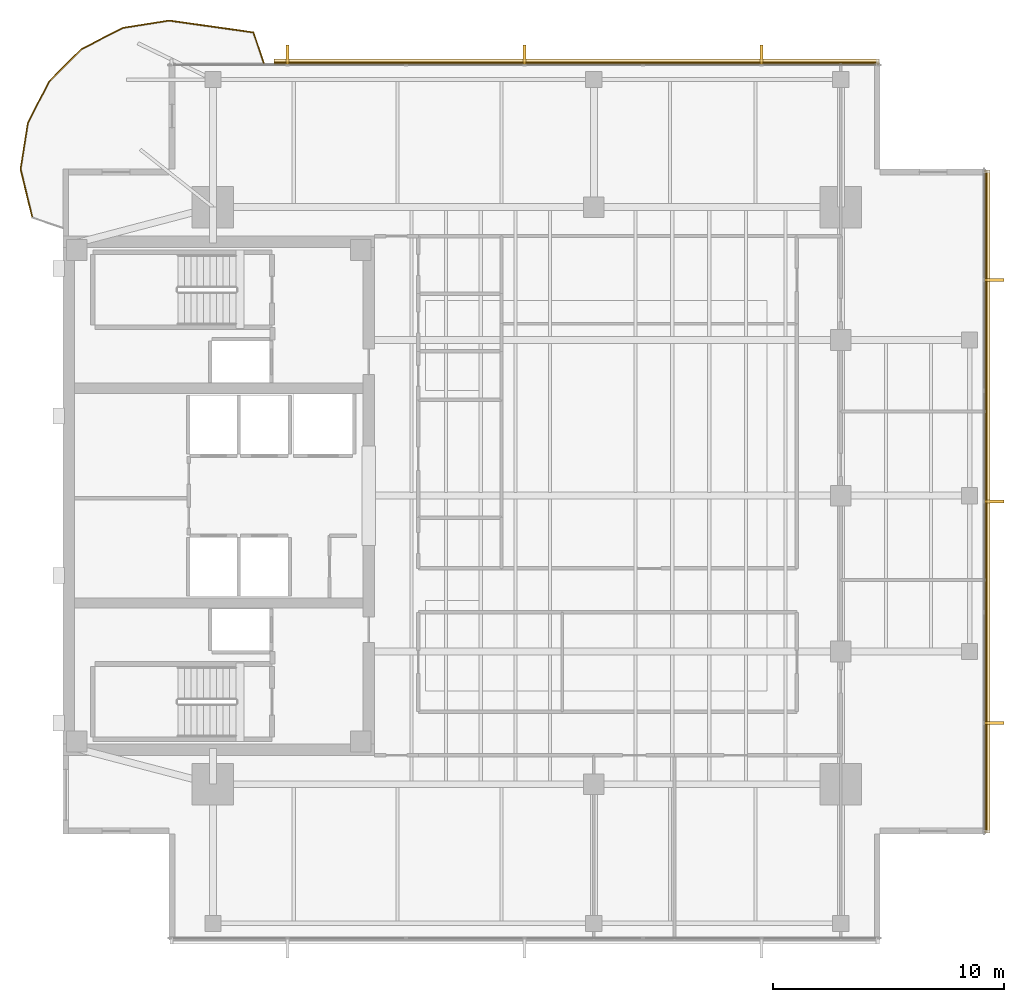
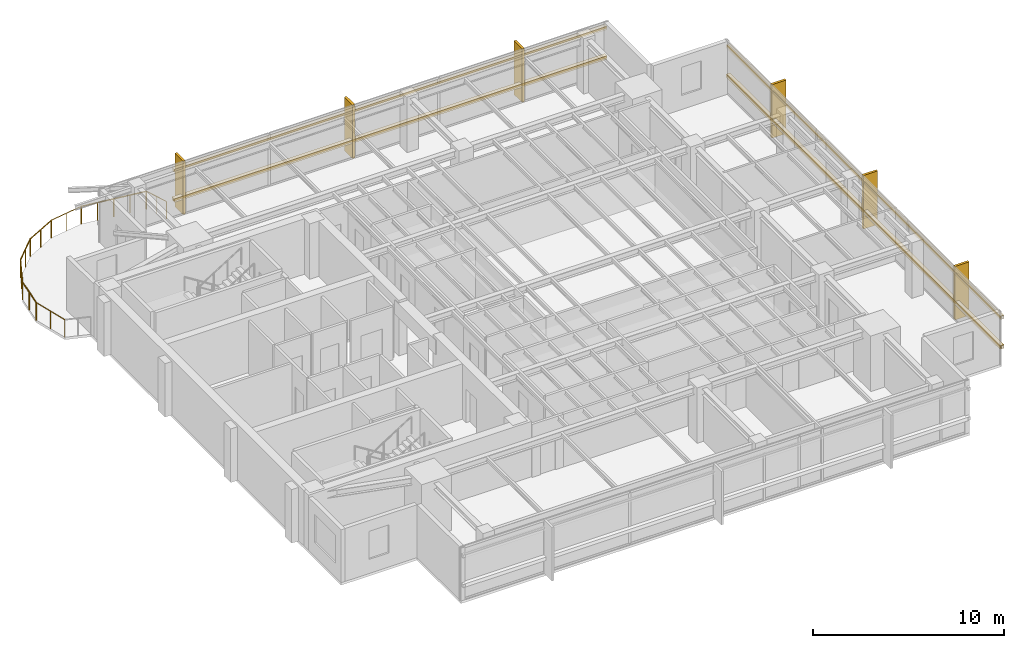
# One storey, part 14 of 14: 10 coverings, 8 railings, 4 shading devices.
"""IFC4 building model written with IfcOpenShell, lengths in metres."""

from ifc_helpers import new_model, si_unit, direction, frame, origin, origin_2d, place, context, subcontext, project, spatial, polyline, rectangle, circle, outline, extrude, material, layer, layer_set, material_profile, profile_set, type_object, element, save


model = new_model("IFC4")

# Units and contexts
model_context = context("Model", 3, precision=1e-05, world=origin(), true_north=direction((0.0, 1.0)))
body_context = subcontext(model_context, "Body", "Model", "MODEL_VIEW")
ifc_project = project(units=[si_unit("LENGTHUNIT", "METRE"), si_unit("AREAUNIT", "SQUARE_METRE"), si_unit("VOLUMEUNIT", "CUBIC_METRE"), si_unit("PLANEANGLEUNIT", "RADIAN"), si_unit("MASSUNIT", "GRAM", prefix="KILO")], contexts=[model_context])

# Site, building, storey
site_placement = place(None, origin())
site = spatial("IfcSite", under=ifc_project, at=site_placement, CompositionType="ELEMENT")
building_placement = place(site_placement, origin())
building = spatial("IfcBuilding", under=site, at=building_placement, Name="Kinhvarn Gate Tower", CompositionType="ELEMENT")
storey_placement = place(building_placement, frame((0.0, 0.0, 274.10009765625)))
storey = spatial("IfcBuildingStorey", under=building, at=storey_placement, Name="L73", CompositionType="ELEMENT", Elevation=274.10009765625)

# Coverings
ifc_material_1 = material(Name="Fired architectural terracotta", Category="masonry")
ifc_layer_1 = layer(ifc_material_1, 0.239990234375)
ifc_layer_set_1 = layer_set([ifc_layer_1], Name="Fired architectural terracotta")
covering_type_1 = type_object("IfcCoveringType", Name="COV-BAG-220", PredefinedType="CLADDING", material=ifc_layer_set_1)
for number, where, name in (
    (1, (0.0, 0.0, 0.93994140625), "Terracotta Horizontal Sunscreen Band TBG-220 (L73)"),
    (2, (0.0, 0.0, 2.829833984375), "Terracotta Horizontal Sunscreen Band TBG-220 (L73)"),
):
    element("IfcCovering", number, at=place(storey_placement, frame(where)), inside=storey, type_object=covering_type_1, Name=name, PredefinedType="CLADDING", context=body_context, shape_type="SweptSolid", body=[
        extrude(outline(polyline([(39.860107421875, 43.929931640625), (13.653076171875, 43.929931640625), (13.653076171875, 44.169921875), (39.860107421875, 44.169921875), (39.860107421875, 43.929931640625)])), origin(), (0.0, 0.0, 1.0), 0.219970703125),
    ])
for number, where, name in (
    (3, (0.0, 0.0, 0.93994140625), "Terracotta Horizontal Sunscreen Band TBG-220 (L73)"),
    (4, (0.0, 0.0, 2.829833984375), "Terracotta Horizontal Sunscreen Band TBG-220 (L73)"),
):
    element("IfcCovering", number, at=place(storey_placement, frame(where)), inside=storey, type_object=covering_type_1, Name=name, PredefinedType="CLADDING", context=body_context, shape_type="SweptSolid", body=[
        extrude(outline(polyline([(44.429931640625, 10.639892578125), (44.429931640625, 39.360107421875), (44.669921875, 39.360107421875), (44.669921875, 10.639892578125), (44.429931640625, 10.639892578125)])), origin(), (0.0, 0.0, 1.0), 0.219970703125),
    ])
ifc_layer_2 = layer(ifc_material_1, 0.139892578125)
ifc_layer_set_2 = layer_set([ifc_layer_2], Name="Fired architectural terracotta")
covering_type_2 = type_object("IfcCoveringType", Name="COV-FIN-850", PredefinedType="CLADDING", material=ifc_layer_set_2)
covering_1_placement = place(storey_placement, frame((0.0, 0.0, -0.02001953125)))
element("IfcCovering", 5, at=covering_1_placement, inside=storey, type_object=covering_type_2, Name="Vertical Terracotta Expressive Fin TFN-850 (L73)", PredefinedType="CLADDING", context=body_context, shape_type="SweptSolid", body=[
    extrude(outline(polyline([(34.836669921875, 43.919921875), (34.69677734375, 43.919921875), (34.69677734375, 44.77001953125), (34.836669921875, 44.77001953125), (34.836669921875, 43.919921875)])), origin(), (0.0, 0.0, 1.0), 3.429931640625),
])
covering_2_placement = place(storey_placement, frame((0.0, 0.0, -0.02001953125)))
element("IfcCovering", 6, at=covering_2_placement, inside=storey, type_object=covering_type_2, Name="Vertical Terracotta Expressive Fin TFN-850 (L73)", PredefinedType="CLADDING", context=body_context, shape_type="SweptSolid", body=[
    extrude(outline(polyline([(24.570068359375, 43.919921875), (24.429931640625, 43.919921875), (24.429931640625, 44.77001953125), (24.570068359375, 44.77001953125), (24.570068359375, 43.919921875)])), origin(), (0.0, 0.0, 1.0), 3.429931640625),
])
covering_3_placement = place(storey_placement, frame((0.0, 0.0, -0.02001953125)))
element("IfcCovering", 7, at=covering_3_placement, inside=storey, type_object=covering_type_2, Name="Vertical Terracotta Expressive Fin TFN-850 (L73)", PredefinedType="CLADDING", context=body_context, shape_type="SweptSolid", body=[
    extrude(outline(polyline([(14.30322265625, 43.919921875), (14.163330078125, 43.919921875), (14.163330078125, 44.77001953125), (14.30322265625, 44.77001953125), (14.30322265625, 43.919921875)])), origin(), (0.0, 0.0, 1.0), 3.429931640625),
])
covering_4_placement = place(storey_placement, frame((0.0, 0.0, -0.02001953125)))
element("IfcCovering", 8, at=covering_4_placement, inside=storey, type_object=covering_type_2, Name="Vertical Terracotta Expressive Fin TFN-850 (L73)", PredefinedType="CLADDING", context=body_context, shape_type="SweptSolid", body=[
    extrude(outline(polyline([(44.419921875, 15.330078125), (44.419921875, 15.469970703125), (45.27001953125, 15.469970703125), (45.27001953125, 15.330078125), (44.419921875, 15.330078125)])), origin(), (0.0, 0.0, 1.0), 3.429931640625),
])
covering_5_placement = place(storey_placement, frame((0.0, 0.0, -0.02001953125)))
element("IfcCovering", 9, at=covering_5_placement, inside=storey, type_object=covering_type_2, Name="Vertical Terracotta Expressive Fin TFN-850 (L73)", PredefinedType="CLADDING", context=body_context, shape_type="SweptSolid", body=[
    extrude(outline(polyline([(44.419921875, 24.929931640625), (44.419921875, 25.070068359375), (45.27001953125, 25.070068359375), (45.27001953125, 24.929931640625), (44.419921875, 24.929931640625)])), origin(), (0.0, 0.0, 1.0), 3.429931640625),
])
covering_6_placement = place(storey_placement, frame((0.0, 0.0, -0.02001953125)))
element("IfcCovering", 10, at=covering_6_placement, inside=storey, type_object=covering_type_2, Name="Vertical Terracotta Expressive Fin TFN-850 (L73)", PredefinedType="CLADDING", context=body_context, shape_type="SweptSolid", body=[
    extrude(outline(polyline([(44.419921875, 34.530029296875), (44.419921875, 34.669921875), (45.27001953125, 34.669921875), (45.27001953125, 34.530029296875), (44.419921875, 34.530029296875)])), origin(), (0.0, 0.0, 1.0), 3.429931640625),
])

# Railings
ifc_material_2 = material(Name="Clear low-e double glazing", Category="glass")
railing_type = type_object("IfcRailingType", Name="RL-BAL-1150", PredefinedType="BALUSTRADE", material=ifc_material_2)
railing_1_placement = place(storey_placement, frame((13.202880859375, 44.0, 0.0)))
element("IfcRailing", 11, at=railing_1_placement, inside=storey, type_object=railing_type, Name="S-Carve Balcony Guardrail Seg 1 (L73)", PredefinedType="BALUSTRADE", context=body_context, shape_type="SweptSolid", body=[
    extrude(circle(Radius=0.02392578125, at=origin_2d()), frame((0.0, 0.0, 1.1259765625), z_axis=(-0.322360511478, 0.946616976733, 0.0), x_axis=(-0.946616976733, -0.322360511478, 0.0)), (0.0, 0.0, 1.0), 1.395751953125),
    extrude(circle(Radius=0.02099609375, at=origin_2d()), origin(), (0.0, 0.0, 1.0), 1.101806640625),
    extrude(circle(Radius=0.02099609375, at=origin_2d()), frame((-0.22509765625, 0.66064453125, 0.0)), (0.0, 0.0, 1.0), 1.101806640625),
    extrude(circle(Radius=0.02099609375, at=origin_2d()), frame((-0.449951171875, 1.3212890625, 0.0)), (0.0, 0.0, 1.0), 1.101806640625),
])
railing_2_placement = place(storey_placement, frame((12.7529296875, 45.3212890625, 0.0)))
element("IfcRailing", 12, at=railing_2_placement, inside=storey, type_object=railing_type, Name="S-Carve Balcony Guardrail Seg 2 (L73)", PredefinedType="BALUSTRADE", context=body_context, shape_type="SweptSolid", body=[
    extrude(circle(Radius=0.02392578125, at=origin_2d()), frame((0.0, 0.0, 1.1259765625), z_axis=(-0.990256864047, 0.139252803232, 0.0), x_axis=(-0.139252803232, -0.990256864047, 0.0)), (0.0, 0.0, 1.0), 3.688720703125),
    extrude(circle(Radius=0.02099609375, at=origin_2d()), origin(), (0.0, 0.0, 1.0), 1.101806640625),
    extrude(circle(Radius=0.02099609375, at=origin_2d()), frame((-0.9130859375, 0.12841796875, 0.0)), (0.0, 0.0, 1.0), 1.101806640625),
    extrude(circle(Radius=0.02099609375, at=origin_2d()), frame((-1.826416015625, 0.2568359375, 0.0)), (0.0, 0.0, 1.0), 1.101806640625),
    extrude(circle(Radius=0.02099609375, at=origin_2d()), frame((-2.73974609375, 0.38525390625, 0.0)), (0.0, 0.0, 1.0), 1.101806640625),
    extrude(circle(Radius=0.02099609375, at=origin_2d()), frame((-3.65283203125, 0.513671875, 0.0)), (0.0, 0.0, 1.0), 1.101806640625),
])
railing_3_placement = place(storey_placement, frame((9.10009765625, 45.8349609375, 0.0)))
element("IfcRailing", 13, at=railing_3_placement, inside=storey, type_object=railing_type, Name="S-Carve Balcony Guardrail Seg 3 (L73)", PredefinedType="BALUSTRADE", context=body_context, shape_type="SweptSolid", body=[
    extrude(circle(Radius=0.02392578125, at=origin_2d()), frame((0.0, 0.0, 1.1259765625), z_axis=(-0.987689113759, -0.156429583395, 0.0), x_axis=(0.156429583395, -0.987689113759, 0.0)), (0.0, 0.0, 1.0), 2.013427734375),
    extrude(circle(Radius=0.02099609375, at=origin_2d()), origin(), (0.0, 0.0, 1.0), 1.101806640625),
    extrude(circle(Radius=0.02099609375, at=origin_2d()), frame((-0.994140625, -0.157470703125, 0.0)), (0.0, 0.0, 1.0), 1.101806640625),
    extrude(circle(Radius=0.02099609375, at=origin_2d()), frame((-1.988525390625, -0.31494140625, 0.0)), (0.0, 0.0, 1.0), 1.101806640625),
])
railing_4_placement = place(storey_placement, frame((7.111572265625, 45.52001953125, 0.0)))
element("IfcRailing", 14, at=railing_4_placement, inside=storey, type_object=railing_type, Name="S-Carve Balcony Guardrail Seg 4 (L73)", PredefinedType="BALUSTRADE", context=body_context, shape_type="SweptSolid", body=[
    extrude(circle(Radius=0.02392578125, at=origin_2d()), frame((0.0, 0.0, 1.1259765625), z_axis=(-0.891006180979, -0.453991173324, 0.0), x_axis=(0.453991173324, -0.891006180979, 0.0)), (0.0, 0.0, 1.0), 2.013427734375),
    extrude(circle(Radius=0.02099609375, at=origin_2d()), origin(), (0.0, 0.0, 1.0), 1.101806640625),
    extrude(circle(Radius=0.02099609375, at=origin_2d()), frame((-0.89697265625, -0.45703125, 0.0)), (0.0, 0.0, 1.0), 1.101806640625),
    extrude(circle(Radius=0.02099609375, at=origin_2d()), frame((-1.7939453125, -0.9140625, 0.0)), (0.0, 0.0, 1.0), 1.101806640625),
])
railing_5_placement = place(storey_placement, frame((5.317626953125, 44.60595703125, 0.0)))
element("IfcRailing", 15, at=railing_5_placement, inside=storey, type_object=railing_type, Name="S-Carve Balcony Guardrail Seg 5 (L73)", PredefinedType="BALUSTRADE", context=body_context, shape_type="SweptSolid", body=[
    extrude(circle(Radius=0.02392578125, at=origin_2d()), frame((0.0, 0.0, 1.1259765625), z_axis=(-0.707106781187, -0.707106781187, 0.0), x_axis=(0.707106781187, -0.707106781187, 0.0)), (0.0, 0.0, 1.0), 2.01318359375),
    extrude(circle(Radius=0.02099609375, at=origin_2d()), origin(), (0.0, 0.0, 1.0), 1.101806640625),
    extrude(circle(Radius=0.02099609375, at=origin_2d()), frame((-0.7119140625, -0.7119140625, 0.0)), (0.0, 0.0, 1.0), 1.101806640625),
    extrude(circle(Radius=0.02099609375, at=origin_2d()), frame((-1.423583984375, -1.423583984375, 0.0)), (0.0, 0.0, 1.0), 1.101806640625),
])
railing_6_placement = place(storey_placement, frame((3.89404296875, 43.182373046875, 0.0)))
element("IfcRailing", 16, at=railing_6_placement, inside=storey, type_object=railing_type, Name="S-Carve Balcony Guardrail Seg 6 (L73)", PredefinedType="BALUSTRADE", context=body_context, shape_type="SweptSolid", body=[
    extrude(circle(Radius=0.02392578125, at=origin_2d()), frame((0.0, 0.0, 1.1259765625), z_axis=(-0.453991173324, -0.891006180979, 0.0), x_axis=(0.891006180979, -0.453991173324, 0.0)), (0.0, 0.0, 1.0), 2.013427734375),
    extrude(circle(Radius=0.02099609375, at=origin_2d()), origin(), (0.0, 0.0, 1.0), 1.101806640625),
    extrude(circle(Radius=0.02099609375, at=origin_2d()), frame((-0.45703125, -0.89697265625, 0.0)), (0.0, 0.0, 1.0), 1.101806640625),
    extrude(circle(Radius=0.02099609375, at=origin_2d()), frame((-0.9140625, -1.7939453125, 0.0)), (0.0, 0.0, 1.0), 1.101806640625),
])
railing_7_placement = place(storey_placement, frame((2.97998046875, 41.388427734375, 0.0)))
element("IfcRailing", 17, at=railing_7_placement, inside=storey, type_object=railing_type, Name="S-Carve Balcony Guardrail Seg 7 (L73)", PredefinedType="BALUSTRADE", context=body_context, shape_type="SweptSolid", body=[
    extrude(circle(Radius=0.02392578125, at=origin_2d()), frame((0.0, 0.0, 1.1259765625), z_axis=(-0.156429583395, -0.987689113759, 0.0), x_axis=(0.987689113759, -0.156429583395, 0.0)), (0.0, 0.0, 1.0), 2.013427734375),
    extrude(circle(Radius=0.02099609375, at=origin_2d()), origin(), (0.0, 0.0, 1.0), 1.101806640625),
    extrude(circle(Radius=0.02099609375, at=origin_2d()), frame((-0.157470703125, -0.994140625, 0.0)), (0.0, 0.0, 1.0), 1.101806640625),
    extrude(circle(Radius=0.02099609375, at=origin_2d()), frame((-0.31494140625, -1.988525390625, 0.0)), (0.0, 0.0, 1.0), 1.101806640625),
])
railing_8_placement = place(storey_placement, frame((2.6650390625, 39.39990234375, 0.0)))
element("IfcRailing", 18, at=railing_8_placement, inside=storey, type_object=railing_type, Name="S-Carve Balcony Guardrail Seg 8 (L73)", PredefinedType="BALUSTRADE", context=body_context, shape_type="SweptSolid", body=[
    extrude(circle(Radius=0.02392578125, at=origin_2d()), frame((0.0, 0.0, 1.1259765625), z_axis=(0.236552397067, -0.971618733579, 0.0), x_axis=(0.971618733579, 0.236552397067, 0.0)), (0.0, 0.0, 1.0), 2.17138671875),
    extrude(circle(Radius=0.02099609375, at=origin_2d()), origin(), (0.0, 0.0, 1.0), 1.101806640625),
    extrude(circle(Radius=0.02099609375, at=origin_2d()), frame((0.2568359375, -1.054931640625, 0.0)), (0.0, 0.0, 1.0), 1.101806640625),
    extrude(circle(Radius=0.02099609375, at=origin_2d()), frame((0.513671875, -2.10986328125, 0.0)), (0.0, 0.0, 1.0), 1.101806640625),
])

# Shading devices
ifc_material_profile = material_profile(ifc_material_1, rectangle(XDim=0.050048828125, YDim=0.1201171875, at=origin_2d()), Name="TC 50x120")
ifc_profile_set = profile_set([ifc_material_profile], Name="Fired architectural terracotta")
shading_device_type = type_object("IfcShadingDeviceType", Name="SHD-BAG-140", PredefinedType="USERDEFINED", material=ifc_profile_set)
for number, where, z_axis, x_axis, name in (
    (19, (39.860107421875, 44.0, 1.0498046875), (-1.0, 0.0, 0.0), (0.0, -1.0, 0.0), "Upper Tower Terracotta Baguette Screen Rod 50x120 mm (L73)"),
    (20, (39.860107421875, 44.0, 2.93994140625), (-1.0, 0.0, 0.0), (0.0, -1.0, 0.0), "Upper Tower Terracotta Baguette Screen Rod 50x120 mm (L73)"),
):
    element("IfcShadingDevice", number, at=place(storey_placement, frame(where, z_axis=z_axis, x_axis=x_axis)), inside=storey, type_object=shading_device_type, Name=name, ObjectType="BAGUETTE", PredefinedType="USERDEFINED", context=body_context, shape_type="SweptSolid", body=[
        extrude(rectangle(XDim=0.050048828125, YDim=0.1201171875, at=origin_2d()), origin(), (0.0, 0.0, 1.0), 26.20703125),
    ])
for number, where, z_axis, x_axis, name in (
    (21, (44.5, 10.639892578125, 1.0498046875), (0.0, 1.0, 0.0), (-1.0, 0.0, 0.0), "Upper Tower Terracotta Baguette Screen Rod 50x120 mm (L73)"),
    (22, (44.5, 10.639892578125, 2.93994140625), (0.0, 1.0, 0.0), (-1.0, 0.0, 0.0), "Upper Tower Terracotta Baguette Screen Rod 50x120 mm (L73)"),
):
    element("IfcShadingDevice", number, at=place(storey_placement, frame(where, z_axis=z_axis, x_axis=x_axis)), inside=storey, type_object=shading_device_type, Name=name, ObjectType="BAGUETTE", PredefinedType="USERDEFINED", context=body_context, shape_type="SweptSolid", body=[
        extrude(rectangle(XDim=0.050048828125, YDim=0.1201171875, at=origin_2d()), origin(), (0.0, 0.0, 1.0), 28.72021484375),
    ])

save(model, "model.ifc")
